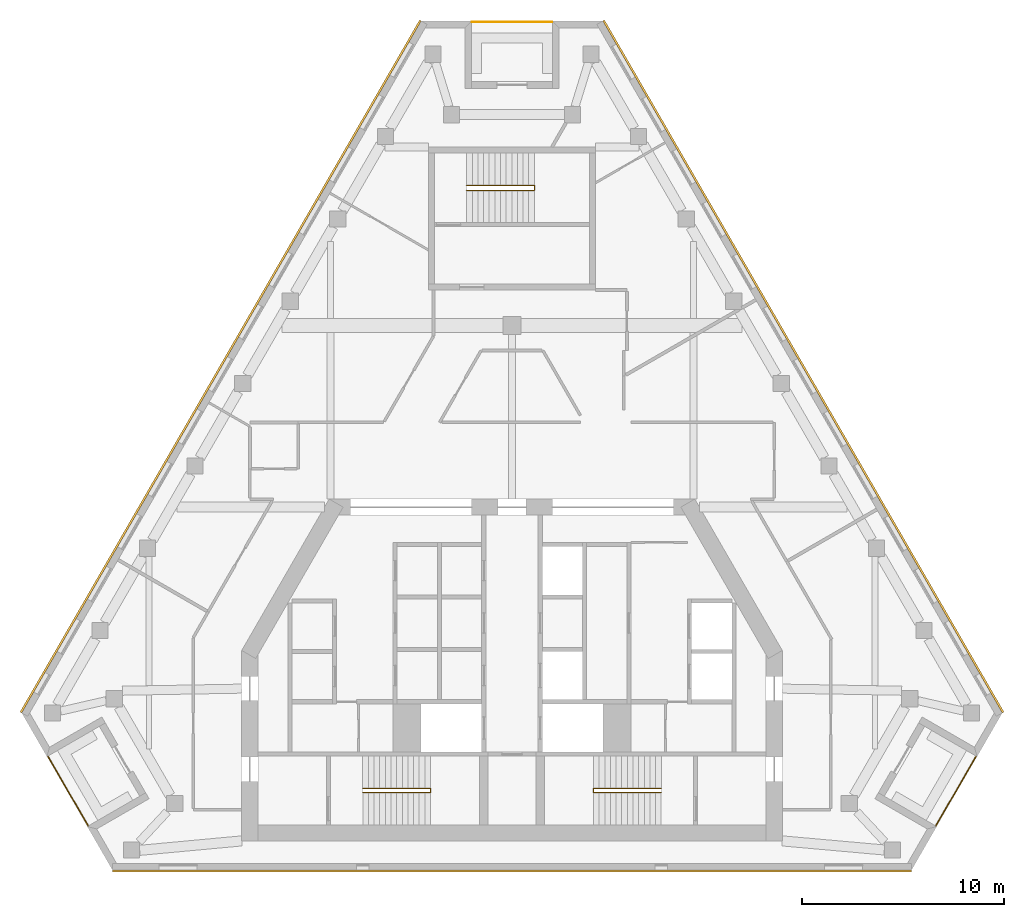
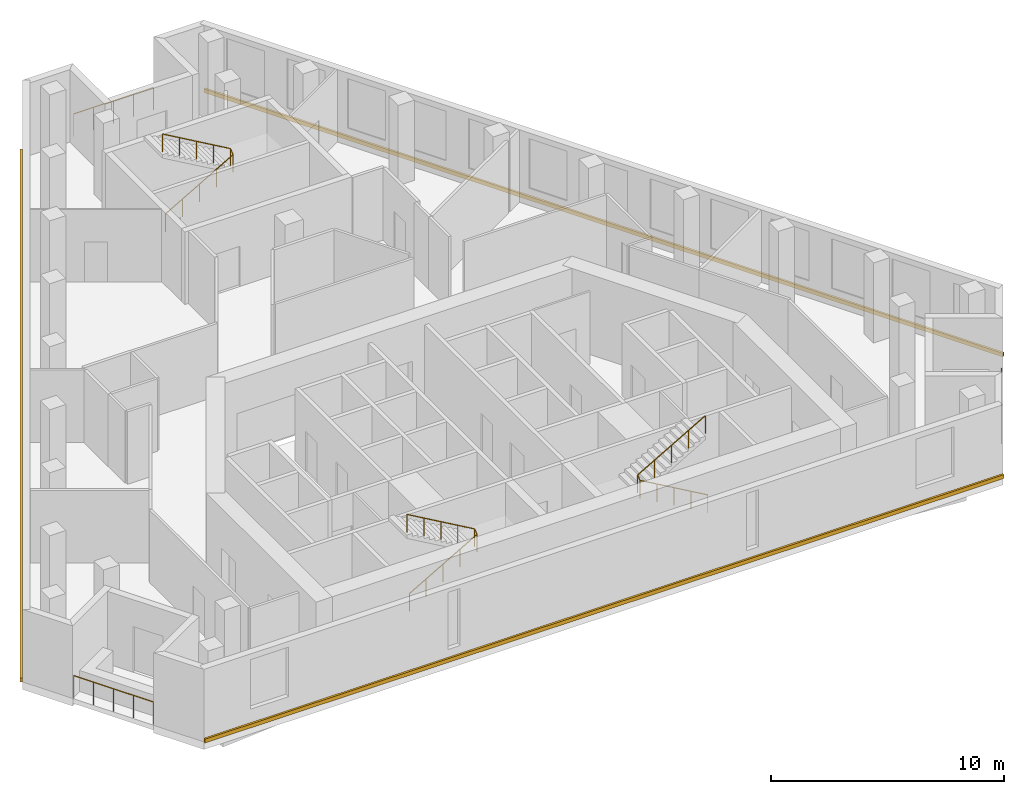
# One storey, part 8 of 8: 6 railings, 3 coverings.
"""IFC4 building model written with IfcOpenShell, lengths in metres."""

from ifc_helpers import new_model, si_unit, direction, frame, origin, origin_2d, place, context, subcontext, project, spatial, polyline, circle, outline, extrude, material, type_object, element, save


model = new_model("IFC4")

# Units and contexts
model_context = context("Model", 3, precision=1e-05, world=origin(), true_north=direction((0.0, 1.0)))
body_context = subcontext(model_context, "Body", "Model", "MODEL_VIEW")
ifc_project = project(units=[si_unit("LENGTHUNIT", "METRE"), si_unit("AREAUNIT", "SQUARE_METRE"), si_unit("VOLUMEUNIT", "CUBIC_METRE"), si_unit("PLANEANGLEUNIT", "RADIAN"), si_unit("MASSUNIT", "GRAM", prefix="KILO")], contexts=[model_context])

# Site, building, storey
site_placement = place(None, origin())
site = spatial("IfcSite", under=ifc_project, at=site_placement, CompositionType="ELEMENT")
building_placement = place(site_placement, origin())
building = spatial("IfcBuilding", under=site, at=building_placement, Name="Fogline Exchange Tower", CompositionType="ELEMENT")
storey_placement = place(building_placement, frame((0.0, 0.0, 326.699951171875)))
storey = spatial("IfcBuildingStorey", under=building, at=storey_placement, Name="L74", CompositionType="ELEMENT", Elevation=326.699951171875)

# Railings
ifc_material_1 = material(Name="Stainless steel 304", Category="steel")
railing_type_1 = type_object("IfcRailingType", Name="G1", PredefinedType="GUARDRAIL", material=ifc_material_1)
railing_1_placement = place(storey_placement, frame((-23.003662109375, 5.635986328125, 0.0)))
element("IfcRailing", 1, at=railing_1_placement, inside=storey, type_object=railing_type_1, Name="Balcony guard L74 SW", PredefinedType="GUARDRAIL", context=body_context, shape_type="SweptSolid", body=[
    extrude(circle(Radius=0.02392578125, at=origin_2d()), frame((0.0, 0.0, 1.17578125), z_axis=(0.500000102728, -0.866025344474, 0.0), x_axis=(0.866025344474, 0.500000102728, 0.0)), (0.0, 0.0, 1.0), 3.9580078125),
    extrude(circle(Radius=0.02099609375, at=origin_2d()), origin(), (0.0, 0.0, 1.0), 1.15185546875),
    extrude(circle(Radius=0.02099609375, at=origin_2d()), frame((0.49462890625, -0.85693359375, 0.0)), (0.0, 0.0, 1.0), 1.15185546875),
    extrude(circle(Radius=0.02099609375, at=origin_2d()), frame((0.989501953125, -1.7138671875, 0.0)), (0.0, 0.0, 1.0), 1.15185546875),
    extrude(circle(Radius=0.02099609375, at=origin_2d()), frame((1.484375, -2.57080078125, 0.0)), (0.0, 0.0, 1.0), 1.15185546875),
    extrude(circle(Radius=0.02099609375, at=origin_2d()), frame((1.97900390625, -3.427734375, 0.0)), (0.0, 0.0, 1.0), 1.15185546875),
])
railing_2_placement = place(storey_placement, frame((21.024658203125, 2.208251953125, 0.0)))
element("IfcRailing", 2, at=railing_2_placement, inside=storey, type_object=railing_type_1, Name="Balcony guard L74 SE", PredefinedType="GUARDRAIL", context=body_context, shape_type="SweptSolid", body=[
    extrude(circle(Radius=0.02392578125, at=origin_2d()), frame((0.0, 0.0, 1.17578125), z_axis=(0.500000102728, 0.866025344474, 0.0), x_axis=(-0.866025344474, 0.500000102728, 0.0)), (0.0, 0.0, 1.0), 3.9580078125),
    extrude(circle(Radius=0.02099609375, at=origin_2d()), origin(), (0.0, 0.0, 1.0), 1.15185546875),
    extrude(circle(Radius=0.02099609375, at=origin_2d()), frame((0.49462890625, 0.85693359375, 0.0)), (0.0, 0.0, 1.0), 1.15185546875),
    extrude(circle(Radius=0.02099609375, at=origin_2d()), frame((0.989501953125, 1.7138671875, 0.0)), (0.0, 0.0, 1.0), 1.15185546875),
    extrude(circle(Radius=0.02099609375, at=origin_2d()), frame((1.484375, 2.57080078125, 0.0)), (0.0, 0.0, 1.0), 1.15185546875),
    extrude(circle(Radius=0.02099609375, at=origin_2d()), frame((1.97900390625, 3.427734375, 0.0)), (0.0, 0.0, 1.0), 1.15185546875),
])
railing_3_placement = place(storey_placement, frame((1.97900390625, 42.0517578125, 0.0)))
element("IfcRailing", 3, at=railing_3_placement, inside=storey, type_object=railing_type_1, Name="Balcony guard L74 N", PredefinedType="GUARDRAIL", context=body_context, shape_type="SweptSolid", body=[
    extrude(circle(Radius=0.02392578125, at=origin_2d()), frame((0.0, 0.0, 1.17578125), z_axis=(-1.0, 0.0, 0.0), x_axis=(0.0, -1.0, 0.0)), (0.0, 0.0, 1.0), 3.9580078125),
    extrude(circle(Radius=0.02099609375, at=origin_2d()), origin(), (0.0, 0.0, 1.0), 1.15185546875),
    extrude(circle(Radius=0.02099609375, at=origin_2d()), frame((-0.989501953125, 0.0, 0.0)), (0.0, 0.0, 1.0), 1.15185546875),
    extrude(circle(Radius=0.02099609375, at=origin_2d()), frame((-1.97900390625, 0.0, 0.0)), (0.0, 0.0, 1.0), 1.15185546875),
    extrude(circle(Radius=0.02099609375, at=origin_2d()), frame((-2.968505859375, 0.0, 0.0)), (0.0, 0.0, 1.0), 1.15185546875),
    extrude(circle(Radius=0.02099609375, at=origin_2d()), frame((-3.9580078125, 0.0, 0.0)), (0.0, 0.0, 1.0), 1.15185546875),
])
ifc_material_2 = material(Name="Steel Q235B", Category="steel")
railing_type_2 = type_object("IfcRailingType", Name="RL-HR", PredefinedType="HANDRAIL", material=ifc_material_2)
railing_4_placement = place(storey_placement, frame((-7.39990234375, 3.85009765625, 0.16162109375)))
element("IfcRailing", 4, at=railing_4_placement, inside=storey, type_object=railing_type_2, Name="Handrail ST1", PredefinedType="HANDRAIL", context=body_context, shape_type="SweptSolid", body=[
    extrude(circle(Radius=0.02392578125, at=origin_2d()), frame((0.0, 0.0, 0.92578125), z_axis=(0.866175107563, 0.0, 0.499740615757), x_axis=(0.0, 1.0, 0.0)), (0.0, 0.0, 1.0), 3.87890625),
    extrude(circle(Radius=0.02392578125, at=origin_2d()), frame((3.35986328125, 0.0, 2.8642578125), z_axis=(0.0, 0.778173348306, 0.628049552174), x_axis=(-1.0, 0.0, 0.0)), (0.0, 0.0, 1.0), 0.2568359375),
    extrude(circle(Radius=0.02392578125, at=origin_2d()), frame((3.35986328125, 0.199951171875, 3.02587890625), z_axis=(-0.866175107563, 0.0, 0.499740615757), x_axis=(0.0, -1.0, 0.0)), (0.0, 0.0, 1.0), 3.87890625),
    extrude(circle(Radius=0.02099609375, at=origin_2d()), origin(), (0.0, 0.0, 1.0), 0.90185546875),
    extrude(circle(Radius=0.02099609375, at=origin_2d()), frame((0.83984375, 0.0, 0.484619140625)), (0.0, 0.0, 1.0), 0.90185546875),
    extrude(circle(Radius=0.02099609375, at=origin_2d()), frame((1.679931640625, 0.0, 0.96923828125)), (0.0, 0.0, 1.0), 0.90185546875),
    extrude(circle(Radius=0.02099609375, at=origin_2d()), frame((2.52001953125, 0.0, 1.453857421875)), (0.0, 0.0, 1.0), 0.90185546875),
    extrude(circle(Radius=0.02099609375, at=origin_2d()), frame((3.35986328125, 0.0, 1.9384765625)), (0.0, 0.0, 1.0), 0.90185546875),
    extrude(circle(Radius=0.02099609375, at=origin_2d()), frame((3.35986328125, 0.199951171875, 2.099853515625)), (0.0, 0.0, 1.0), 0.90185546875),
    extrude(circle(Radius=0.02099609375, at=origin_2d()), frame((2.52001953125, 0.199951171875, 2.58447265625)), (0.0, 0.0, 1.0), 0.90185546875),
    extrude(circle(Radius=0.02099609375, at=origin_2d()), frame((1.679931640625, 0.199951171875, 3.069091796875)), (0.0, 0.0, 1.0), 0.90185546875),
    extrude(circle(Radius=0.02099609375, at=origin_2d()), frame((0.83984375, 0.199951171875, 3.5537109375)), (0.0, 0.0, 1.0), 0.90185546875),
    extrude(circle(Radius=0.02099609375, at=origin_2d()), frame((0.0, 0.199951171875, 4.038330078125)), (0.0, 0.0, 1.0), 0.90185546875),
])
railing_5_placement = place(storey_placement, frame((7.39990234375, 3.85009765625, 0.16162109375)))
element("IfcRailing", 5, at=railing_5_placement, inside=storey, type_object=railing_type_2, Name="Handrail ST2", PredefinedType="HANDRAIL", context=body_context, shape_type="SweptSolid", body=[
    extrude(circle(Radius=0.02392578125, at=origin_2d()), frame((0.0, 0.0, 0.92578125), z_axis=(-0.866175107563, 0.0, 0.499740615757), x_axis=(0.0, -1.0, 0.0)), (0.0, 0.0, 1.0), 3.87890625),
    extrude(circle(Radius=0.02392578125, at=origin_2d()), frame((-3.35986328125, 0.0, 2.8642578125), z_axis=(0.0, 0.778173348306, 0.628049552174), x_axis=(-1.0, 0.0, 0.0)), (0.0, 0.0, 1.0), 0.2568359375),
    extrude(circle(Radius=0.02392578125, at=origin_2d()), frame((-3.35986328125, 0.199951171875, 3.02587890625), z_axis=(0.866175107563, 0.0, 0.499740615757), x_axis=(0.0, 1.0, 0.0)), (0.0, 0.0, 1.0), 3.87890625),
    extrude(circle(Radius=0.02099609375, at=origin_2d()), origin(), (0.0, 0.0, 1.0), 0.90185546875),
    extrude(circle(Radius=0.02099609375, at=origin_2d()), frame((-0.83984375, 0.0, 0.484619140625)), (0.0, 0.0, 1.0), 0.90185546875),
    extrude(circle(Radius=0.02099609375, at=origin_2d()), frame((-1.679931640625, 0.0, 0.96923828125)), (0.0, 0.0, 1.0), 0.90185546875),
    extrude(circle(Radius=0.02099609375, at=origin_2d()), frame((-2.52001953125, 0.0, 1.453857421875)), (0.0, 0.0, 1.0), 0.90185546875),
    extrude(circle(Radius=0.02099609375, at=origin_2d()), frame((-3.35986328125, 0.0, 1.9384765625)), (0.0, 0.0, 1.0), 0.90185546875),
    extrude(circle(Radius=0.02099609375, at=origin_2d()), frame((-3.35986328125, 0.199951171875, 2.099853515625)), (0.0, 0.0, 1.0), 0.90185546875),
    extrude(circle(Radius=0.02099609375, at=origin_2d()), frame((-2.52001953125, 0.199951171875, 2.58447265625)), (0.0, 0.0, 1.0), 0.90185546875),
    extrude(circle(Radius=0.02099609375, at=origin_2d()), frame((-1.679931640625, 0.199951171875, 3.069091796875)), (0.0, 0.0, 1.0), 0.90185546875),
    extrude(circle(Radius=0.02099609375, at=origin_2d()), frame((-0.83984375, 0.199951171875, 3.5537109375)), (0.0, 0.0, 1.0), 0.90185546875),
    extrude(circle(Radius=0.02099609375, at=origin_2d()), frame((0.0, 0.199951171875, 4.038330078125)), (0.0, 0.0, 1.0), 0.90185546875),
])
railing_6_placement = place(storey_placement, frame((-2.25, 33.70703125, 0.16162109375)))
element("IfcRailing", 6, at=railing_6_placement, inside=storey, type_object=railing_type_2, Name="Handrail ST3", PredefinedType="HANDRAIL", context=body_context, shape_type="SweptSolid", body=[
    extrude(circle(Radius=0.02392578125, at=origin_2d()), frame((0.0, 0.0, 0.92578125), z_axis=(0.866190824863, 0.0, 0.499713372768), x_axis=(0.0, 1.0, 0.0)), (0.0, 0.0, 1.0), 3.879150390625),
    extrude(circle(Radius=0.02392578125, at=origin_2d()), frame((3.360107421875, 0.0, 2.8642578125), z_axis=(0.0, 0.840163997081, 0.542332423897), x_axis=(-1.0, 0.0, 0.0)), (0.0, 0.0, 1.0), 0.297607421875),
    extrude(circle(Radius=0.02392578125, at=origin_2d()), frame((3.360107421875, 0.25, 3.02587890625), z_axis=(-0.866190824863, 0.0, 0.499713372768), x_axis=(0.0, -1.0, 0.0)), (0.0, 0.0, 1.0), 3.879150390625),
    extrude(circle(Radius=0.02099609375, at=origin_2d()), origin(), (0.0, 0.0, 1.0), 0.90185546875),
    extrude(circle(Radius=0.02099609375, at=origin_2d()), frame((0.840087890625, 0.0, 0.484619140625)), (0.0, 0.0, 1.0), 0.90185546875),
    extrude(circle(Radius=0.02099609375, at=origin_2d()), frame((1.68017578125, 0.0, 0.96923828125)), (0.0, 0.0, 1.0), 0.90185546875),
    extrude(circle(Radius=0.02099609375, at=origin_2d()), frame((2.52001953125, 0.0, 1.453857421875)), (0.0, 0.0, 1.0), 0.90185546875),
    extrude(circle(Radius=0.02099609375, at=origin_2d()), frame((3.360107421875, 0.0, 1.9384765625)), (0.0, 0.0, 1.0), 0.90185546875),
    extrude(circle(Radius=0.02099609375, at=origin_2d()), frame((3.360107421875, 0.25, 2.099853515625)), (0.0, 0.0, 1.0), 0.90185546875),
    extrude(circle(Radius=0.02099609375, at=origin_2d()), frame((2.52001953125, 0.25, 2.58447265625)), (0.0, 0.0, 1.0), 0.90185546875),
    extrude(circle(Radius=0.02099609375, at=origin_2d()), frame((1.68017578125, 0.25, 3.069091796875)), (0.0, 0.0, 1.0), 0.90185546875),
    extrude(circle(Radius=0.02099609375, at=origin_2d()), frame((0.840087890625, 0.25, 3.5537109375)), (0.0, 0.0, 1.0), 0.90185546875),
    extrude(circle(Radius=0.02099609375, at=origin_2d()), frame((0.0, 0.25, 4.038330078125)), (0.0, 0.0, 1.0), 0.90185546875),
])

# Coverings
ifc_material_3 = material(Name="Brick masonry", Category="masonry")
covering_type = type_object("IfcCoveringType", Name="SB1", PredefinedType="CLADDING", material=ifc_material_3)
covering_1_placement = place(storey_placement, origin())
element("IfcCovering", 7, at=covering_1_placement, inside=storey, type_object=covering_type, Name="Stringcourse band L74 S", PredefinedType="CLADDING", context=body_context, shape_type="SweptSolid", body=[
    extrude(outline(polyline([(-19.807373046875, 0.0), (-19.807373046875, -0.10009765625), (19.807373046875, -0.10009765625), (19.807373046875, 0.0), (-19.807373046875, 0.0)])), origin(), (0.0, 0.0, 1.0), 0.199951171875),
])
covering_2_placement = place(storey_placement, origin())
element("IfcCovering", 8, at=covering_2_placement, inside=storey, type_object=covering_type, Name="Stringcourse band L74 E", PredefinedType="CLADDING", context=body_context, shape_type="SweptSolid", body=[
    extrude(outline(polyline([(24.307373046875, 7.794189453125), (24.39404296875, 7.84423828125), (4.586669921875, 42.151611328125), (4.5, 42.101806640625), (24.307373046875, 7.794189453125)])), origin(), (0.0, 0.0, 1.0), 0.199951171875),
])
covering_3_placement = place(storey_placement, origin())
element("IfcCovering", 9, at=covering_3_placement, inside=storey, type_object=covering_type, Name="Stringcourse band L74 W", PredefinedType="CLADDING", context=body_context, shape_type="SweptSolid", body=[
    extrude(outline(polyline([(-4.5, 42.101806640625), (-4.586669921875, 42.151611328125), (-24.39404296875, 7.84423828125), (-24.307373046875, 7.794189453125), (-4.5, 42.101806640625)])), origin(), (0.0, 0.0, 1.0), 0.199951171875),
])

save(model, "model.ifc")
